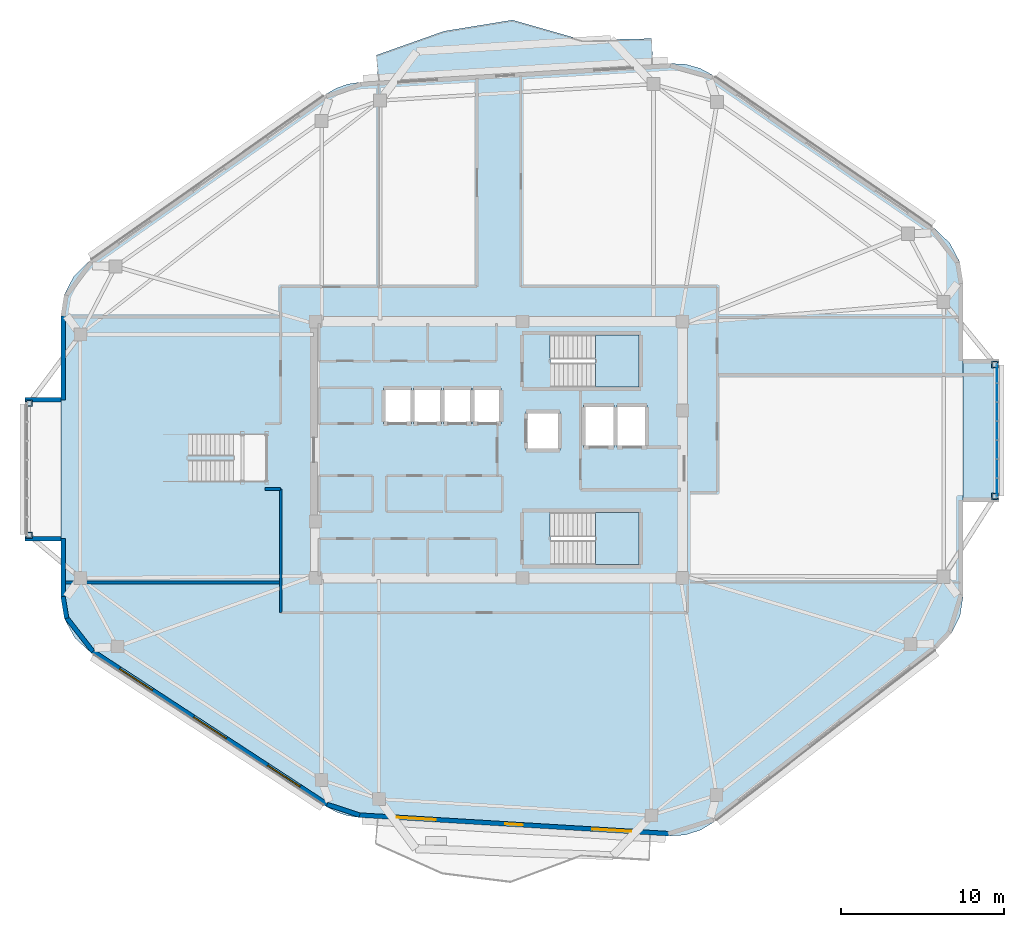
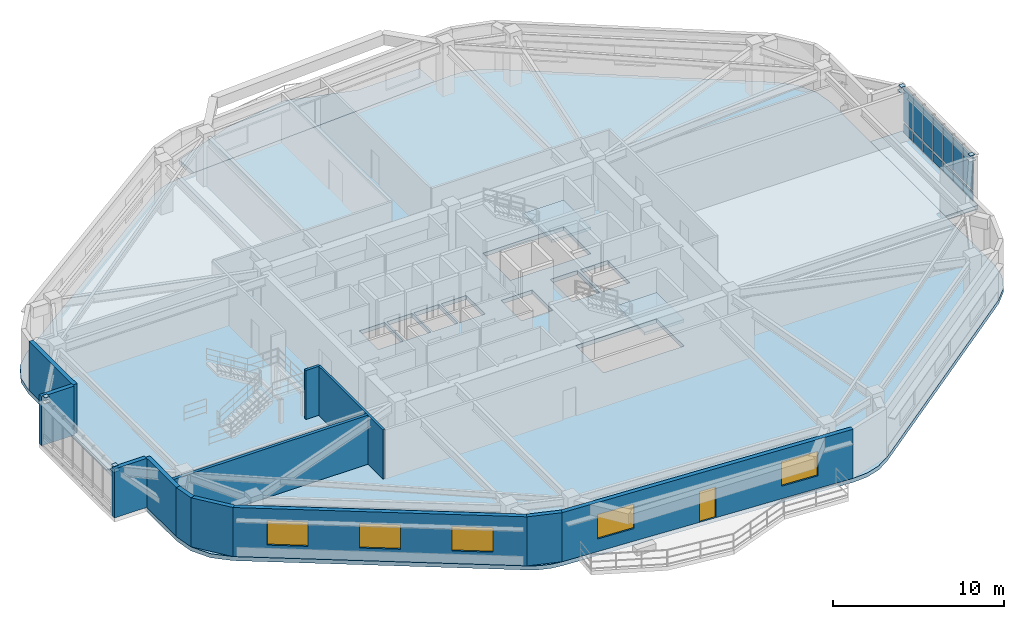
# One storey, part 11 of 18: 22 plates, 12 walls, 5 slabs, 5 windows, 1 door, 6 openings, 3 elements without a shape of their own.
"""IFC4 building model written with IfcOpenShell, lengths in metres."""

from ifc_helpers import new_model, si_unit, direction, frame, frame_2d, origin, origin_2d, place, context, subcontext, project, spatial, polyline, rectangle, outline, extrude, material, layer, layer_set, type_object, element, fill, aggregate, save


model = new_model("IFC4")

# Units and contexts
model_context = context("Model", 3, precision=1e-05, world=origin(), true_north=direction((0.0, 1.0)))
body_context = subcontext(model_context, "Body", "Model", "MODEL_VIEW")
ifc_project = project(units=[si_unit("LENGTHUNIT", "METRE"), si_unit("AREAUNIT", "SQUARE_METRE"), si_unit("VOLUMEUNIT", "CUBIC_METRE"), si_unit("PLANEANGLEUNIT", "RADIAN"), si_unit("MASSUNIT", "GRAM", prefix="KILO")], contexts=[model_context])

# Site, building, storey
site_placement = place(None, origin())
site = spatial("IfcSite", under=ifc_project, at=site_placement, CompositionType="ELEMENT")
building_placement = place(site_placement, origin())
building = spatial("IfcBuilding", under=site, at=building_placement, Name="Zulverin Broadcast Headquarters", CompositionType="ELEMENT")
storey_placement = place(building_placement, frame((0.0, 0.0, 225.0)))
storey = spatial("IfcBuildingStorey", under=building, at=storey_placement, Name="L57", CompositionType="ELEMENT", Elevation=225.0)

# Curtain wall, plates
ifc_material_1 = material(Name="Acoustic triple-glazed studio box curtain wall", Category="aluminium")
curtain_wall_type = type_object("IfcCurtainWallType", Name="CW-SBOX", PredefinedType="USERDEFINED", material=ifc_material_1)
curtain_wall_placement = place(storey_placement, origin())
curtain_wall = element("IfcCurtainWall", 1, at=curtain_wall_placement, inside=storey, type_object=curtain_wall_type, Name="L57 Unitised Curtain Wall CW-L57-SBOX_SKY2_E-F", ObjectType="UNITISED CURTAIN WALL", PredefinedType="USERDEFINED")
ifc_material_2 = material(Name="Low-E double-glazed pale-silver vision glass", Category="glass")
ifc_layer_1 = layer(ifc_material_2, 0.035888671875, Name="Low-E double-glazed pale-silver vision glass", Category="glass")
ifc_layer_set_1 = layer_set([ifc_layer_1], Name="Low-E double-glazed pale-silver vision glass")
plate_type_1 = type_object("IfcPlateType", Name="CW-PNL-GLZ", PredefinedType="CURTAIN_PANEL", material=ifc_layer_set_1)
plate_1_placement = place(storey_placement, frame((67.580078125, 22.892822265625, 0.9072265625), z_axis=(0.0, 0.0, 1.0), x_axis=(0.0, 1.0, 0.0)))
plate_1 = element("IfcPlate", 2, at=plate_1_placement, type_object=plate_type_1, Name="CW-L57-SBOX_SKY2_E-F Vision Panel 00", PredefinedType="CURTAIN_PANEL", context=body_context, shape_type="SweptSolid", body=[
    extrude(rectangle(XDim=1.125732421875, YDim=0.035888671875, at=origin_2d()), origin(), (0.0, 0.0, 1.0), 2.462646484375),
])
plate_2_placement = place(storey_placement, frame((67.580078125, 24.05859375, 0.9072265625), z_axis=(0.0, 0.0, 1.0), x_axis=(0.0, 1.0, 0.0)))
plate_2 = element("IfcPlate", 3, at=plate_2_placement, type_object=plate_type_1, Name="CW-L57-SBOX_SKY2_E-F Vision Panel 01", PredefinedType="CURTAIN_PANEL", context=body_context, shape_type="SweptSolid", body=[
    extrude(rectangle(XDim=1.125732421875, YDim=0.035888671875, at=origin_2d()), origin(), (0.0, 0.0, 1.0), 2.462646484375),
])
plate_3_placement = place(storey_placement, frame((67.580078125, 25.224365234375, 0.9072265625), z_axis=(0.0, 0.0, 1.0), x_axis=(0.0, 1.0, 0.0)))
plate_3 = element("IfcPlate", 4, at=plate_3_placement, type_object=plate_type_1, Name="CW-L57-SBOX_SKY2_E-F Vision Panel 02", PredefinedType="CURTAIN_PANEL", context=body_context, shape_type="SweptSolid", body=[
    extrude(rectangle(XDim=1.125732421875, YDim=0.035888671875, at=origin_2d()), origin(), (0.0, 0.0, 1.0), 2.462646484375),
])
plate_4_placement = place(storey_placement, frame((67.580078125, 26.389892578125, 0.9072265625), z_axis=(0.0, 0.0, 1.0), x_axis=(0.0, 1.0, 0.0)))
plate_4 = element("IfcPlate", 5, at=plate_4_placement, type_object=plate_type_1, Name="CW-L57-SBOX_SKY2_E-F Vision Panel 03", PredefinedType="CURTAIN_PANEL", context=body_context, shape_type="SweptSolid", body=[
    extrude(rectangle(XDim=1.125732421875, YDim=0.035888671875, at=origin_2d()), origin(), (0.0, 0.0, 1.0), 2.462646484375),
])
plate_5_placement = place(storey_placement, frame((67.580078125, 27.5556640625, 0.9072265625), z_axis=(0.0, 0.0, 1.0), x_axis=(0.0, 1.0, 0.0)))
plate_5 = element("IfcPlate", 6, at=plate_5_placement, type_object=plate_type_1, Name="CW-L57-SBOX_SKY2_E-F Vision Panel 04", PredefinedType="CURTAIN_PANEL", context=body_context, shape_type="SweptSolid", body=[
    extrude(rectangle(XDim=1.125732421875, YDim=0.035888671875, at=origin_2d()), origin(), (0.0, 0.0, 1.0), 2.462646484375),
])
plate_6_placement = place(storey_placement, frame((67.580078125, 28.721435546875, 0.9072265625), z_axis=(0.0, 0.0, 1.0), x_axis=(0.0, 1.0, 0.0)))
plate_6 = element("IfcPlate", 7, at=plate_6_placement, type_object=plate_type_1, Name="CW-L57-SBOX_SKY2_E-F Vision Panel 05", PredefinedType="CURTAIN_PANEL", context=body_context, shape_type="SweptSolid", body=[
    extrude(rectangle(XDim=1.125732421875, YDim=0.035888671875, at=origin_2d()), origin(), (0.0, 0.0, 1.0), 2.462646484375),
])
plate_7_placement = place(storey_placement, frame((67.580078125, 29.88720703125, 0.9072265625), z_axis=(0.0, 0.0, 1.0), x_axis=(0.0, 1.0, 0.0)))
plate_7 = element("IfcPlate", 8, at=plate_7_placement, type_object=plate_type_1, Name="CW-L57-SBOX_SKY2_E-F Vision Panel 06", PredefinedType="CURTAIN_PANEL", context=body_context, shape_type="SweptSolid", body=[
    extrude(rectangle(XDim=1.125732421875, YDim=0.035888671875, at=origin_2d()), origin(), (0.0, 0.0, 1.0), 2.462646484375),
])
ifc_material_3 = material(Name="Insulated brushed pale-aluminium spandrel cassette", Category="aluminium")
ifc_layer_2 = layer(ifc_material_3, 0.050048828125, Name="Insulated brushed pale-aluminium spandrel cassette", Category="aluminium")
ifc_layer_set_2 = layer_set([ifc_layer_2], Name="Insulated brushed pale-aluminium spandrel cassette")
plate_type_2 = type_object("IfcPlateType", Name="CW-PNL-SPN", PredefinedType="CURTAIN_PANEL", material=ifc_layer_set_2)
plate_8_placement = place(storey_placement, frame((67.580078125, 22.892822265625, 0.14013671875), z_axis=(0.0, 0.0, 1.0), x_axis=(0.0, 1.0, 0.0)))
plate_8 = element("IfcPlate", 9, at=plate_8_placement, type_object=plate_type_2, Name="CW-L57-SBOX_SKY2_E-F Spandrel Cassette 00", PredefinedType="CURTAIN_PANEL", context=body_context, shape_type="SweptSolid", body=[
    extrude(rectangle(XDim=1.125732421875, YDim=0.050048828125, at=origin_2d()), origin(), (0.0, 0.0, 1.0), 0.637451171875),
])
plate_9_placement = place(storey_placement, frame((67.580078125, 24.05859375, 0.14013671875), z_axis=(0.0, 0.0, 1.0), x_axis=(0.0, 1.0, 0.0)))
plate_9 = element("IfcPlate", 10, at=plate_9_placement, type_object=plate_type_2, Name="CW-L57-SBOX_SKY2_E-F Spandrel Cassette 01", PredefinedType="CURTAIN_PANEL", context=body_context, shape_type="SweptSolid", body=[
    extrude(rectangle(XDim=1.125732421875, YDim=0.050048828125, at=origin_2d()), origin(), (0.0, 0.0, 1.0), 0.637451171875),
])
plate_10_placement = place(storey_placement, frame((67.580078125, 25.224365234375, 0.14013671875), z_axis=(0.0, 0.0, 1.0), x_axis=(0.0, 1.0, 0.0)))
plate_10 = element("IfcPlate", 11, at=plate_10_placement, type_object=plate_type_2, Name="CW-L57-SBOX_SKY2_E-F Spandrel Cassette 02", PredefinedType="CURTAIN_PANEL", context=body_context, shape_type="SweptSolid", body=[
    extrude(rectangle(XDim=1.125732421875, YDim=0.050048828125, at=origin_2d()), origin(), (0.0, 0.0, 1.0), 0.637451171875),
])
plate_11_placement = place(storey_placement, frame((67.580078125, 26.389892578125, 0.14013671875), z_axis=(0.0, 0.0, 1.0), x_axis=(0.0, 1.0, 0.0)))
plate_11 = element("IfcPlate", 12, at=plate_11_placement, type_object=plate_type_2, Name="CW-L57-SBOX_SKY2_E-F Spandrel Cassette 03", PredefinedType="CURTAIN_PANEL", context=body_context, shape_type="SweptSolid", body=[
    extrude(rectangle(XDim=1.125732421875, YDim=0.050048828125, at=origin_2d()), origin(), (0.0, 0.0, 1.0), 0.637451171875),
])
plate_12_placement = place(storey_placement, frame((67.580078125, 27.5556640625, 0.14013671875), z_axis=(0.0, 0.0, 1.0), x_axis=(0.0, 1.0, 0.0)))
plate_12 = element("IfcPlate", 13, at=plate_12_placement, type_object=plate_type_2, Name="CW-L57-SBOX_SKY2_E-F Spandrel Cassette 04", PredefinedType="CURTAIN_PANEL", context=body_context, shape_type="SweptSolid", body=[
    extrude(rectangle(XDim=1.125732421875, YDim=0.050048828125, at=origin_2d()), origin(), (0.0, 0.0, 1.0), 0.637451171875),
])
plate_13_placement = place(storey_placement, frame((67.580078125, 28.721435546875, 0.14013671875), z_axis=(0.0, 0.0, 1.0), x_axis=(0.0, 1.0, 0.0)))
plate_13 = element("IfcPlate", 14, at=plate_13_placement, type_object=plate_type_2, Name="CW-L57-SBOX_SKY2_E-F Spandrel Cassette 05", PredefinedType="CURTAIN_PANEL", context=body_context, shape_type="SweptSolid", body=[
    extrude(rectangle(XDim=1.125732421875, YDim=0.050048828125, at=origin_2d()), origin(), (0.0, 0.0, 1.0), 0.637451171875),
])
plate_14_placement = place(storey_placement, frame((67.580078125, 29.88720703125, 0.14013671875), z_axis=(0.0, 0.0, 1.0), x_axis=(0.0, 1.0, 0.0)))
plate_14 = element("IfcPlate", 15, at=plate_14_placement, type_object=plate_type_2, Name="CW-L57-SBOX_SKY2_E-F Spandrel Cassette 06", PredefinedType="CURTAIN_PANEL", context=body_context, shape_type="SweptSolid", body=[
    extrude(rectangle(XDim=1.125732421875, YDim=0.050048828125, at=origin_2d()), origin(), (0.0, 0.0, 1.0), 0.637451171875),
])
aggregate(curtain_wall, [plate_8, plate_1, plate_9, plate_2, plate_10, plate_3, plate_11, plate_4, plate_12, plate_5, plate_13, plate_6, plate_14, plate_7])

# Plates
ifc_material_4 = material(Name="Structural steel S355JR", Category="steel")
ifc_layer_3 = layer(ifc_material_4, 0.02490234375, Name="Structural steel S355JR", Category="steel")
ifc_layer_set_3 = layer_set([ifc_layer_3], Name="Structural steel S355JR")
plate_type_3 = type_object("IfcPlateType", Name="PLT-NODE-SBN1", PredefinedType="SHEET", material=ifc_layer_set_3)
plate_15_placement = place(storey_placement, frame((67.449951171875, 22.340087890625, 3.507568359375), z_axis=(0.0, 0.0, 1.0), x_axis=(1.0, 0.0, 0.0)))
element("IfcPlate", 16, at=plate_15_placement, inside=storey, type_object=plate_type_3, Name="SBN-1 Studio Box Post End Cap Plate L57-SBOX_SKY2_E-1", PredefinedType="SHEET", context=body_context, shape_type="SweptSolid", body=[
    extrude(rectangle(XDim=0.300048828125, YDim=0.300048828125, at=origin_2d()), origin(), (0.0, 0.0, 1.0), 0.02490234375),
])
plate_16_placement = place(storey_placement, frame((67.449951171875, 22.340087890625, 3.1474609375), z_axis=(0.0, 0.0, 1.0), x_axis=(1.0, 0.0, 0.0)))
element("IfcPlate", 17, at=plate_16_placement, inside=storey, type_object=plate_type_3, Name="SBN-1 Studio Box Node Gusset Plate L57-SBOX_SKY2_E-1", PredefinedType="SHEET", context=body_context, shape_type="SweptSolid", body=[
    extrude(rectangle(XDim=0.419921875, YDim=0.419921875, at=origin_2d()), origin(), (0.0, 0.0, 1.0), 0.02490234375),
])
plate_17_placement = place(storey_placement, frame((67.449951171875, 30.43994140625, 3.507568359375), z_axis=(0.0, 0.0, 1.0), x_axis=(1.0, 0.0, 0.0)))
element("IfcPlate", 18, at=plate_17_placement, inside=storey, type_object=plate_type_3, Name="SBN-1 Studio Box Post End Cap Plate L57-SBOX_SKY2_E-2", PredefinedType="SHEET", context=body_context, shape_type="SweptSolid", body=[
    extrude(rectangle(XDim=0.300048828125, YDim=0.300048828125, at=origin_2d()), origin(), (0.0, 0.0, 1.0), 0.02490234375),
])
plate_18_placement = place(storey_placement, frame((67.449951171875, 30.43994140625, 3.1474609375), z_axis=(0.0, 0.0, 1.0), x_axis=(1.0, 0.0, 0.0)))
element("IfcPlate", 19, at=plate_18_placement, inside=storey, type_object=plate_type_3, Name="SBN-1 Studio Box Node Gusset Plate L57-SBOX_SKY2_E-2", PredefinedType="SHEET", context=body_context, shape_type="SweptSolid", body=[
    extrude(rectangle(XDim=0.419921875, YDim=0.419921875, at=origin_2d()), origin(), (0.0, 0.0, 1.0), 0.02490234375),
])
plate_19_placement = place(storey_placement, frame((8.14990234375, 19.9599609375, 3.507568359375), z_axis=(0.0, 0.0, 1.0), x_axis=(1.0, 0.0, 0.0)))
element("IfcPlate", 20, at=plate_19_placement, inside=storey, type_object=plate_type_3, Name="SBN-1 Studio Box Post End Cap Plate L57-SBOX_SKY2_W-1", PredefinedType="SHEET", context=body_context, shape_type="SweptSolid", body=[
    extrude(rectangle(XDim=0.300048828125, YDim=0.300048828125, at=origin_2d()), origin(), (0.0, 0.0, 1.0), 0.02490234375),
])
plate_20_placement = place(storey_placement, frame((8.14990234375, 19.9599609375, 3.1474609375), z_axis=(0.0, 0.0, 1.0), x_axis=(1.0, 0.0, 0.0)))
element("IfcPlate", 21, at=plate_20_placement, inside=storey, type_object=plate_type_3, Name="SBN-1 Studio Box Node Gusset Plate L57-SBOX_SKY2_W-1", PredefinedType="SHEET", context=body_context, shape_type="SweptSolid", body=[
    extrude(rectangle(XDim=0.419921875, YDim=0.419921875, at=origin_2d()), origin(), (0.0, 0.0, 1.0), 0.02490234375),
])
plate_21_placement = place(storey_placement, frame((8.14990234375, 28.06005859375, 3.507568359375), z_axis=(0.0, 0.0, 1.0), x_axis=(1.0, 0.0, 0.0)))
element("IfcPlate", 22, at=plate_21_placement, inside=storey, type_object=plate_type_3, Name="SBN-1 Studio Box Post End Cap Plate L57-SBOX_SKY2_W-2", PredefinedType="SHEET", context=body_context, shape_type="SweptSolid", body=[
    extrude(rectangle(XDim=0.300048828125, YDim=0.300048828125, at=origin_2d()), origin(), (0.0, 0.0, 1.0), 0.02490234375),
])
plate_22_placement = place(storey_placement, frame((8.14990234375, 28.06005859375, 3.1474609375), z_axis=(0.0, 0.0, 1.0), x_axis=(1.0, 0.0, 0.0)))
element("IfcPlate", 23, at=plate_22_placement, inside=storey, type_object=plate_type_3, Name="SBN-1 Studio Box Node Gusset Plate L57-SBOX_SKY2_W-2", PredefinedType="SHEET", context=body_context, shape_type="SweptSolid", body=[
    extrude(rectangle(XDim=0.419921875, YDim=0.419921875, at=origin_2d()), origin(), (0.0, 0.0, 1.0), 0.02490234375),
])

# Slab
ifc_material_5 = material(Name="Concrete C40/50", Category="concrete")
ifc_layer_4 = layer(ifc_material_5, 0.2900390625, Name="Concrete C40/50", Category="concrete")
ifc_layer_set_4 = layer_set([ifc_layer_4], Name="Concrete C40/50")
slab_type_1 = type_object("IfcSlabType", Name="SLB-BAL-290", PredefinedType="FLOOR", material=ifc_layer_set_4)
slab_1_placement = place(storey_placement, frame((0.0, 0.0, -0.2900390625)))
element("IfcSlab", 24, at=slab_1_placement, inside=storey, type_object=slab_type_1, Name="L57 Cantilevered Planted Balcony Slab BAL_N", PredefinedType="FLOOR", context=body_context, shape_type="SweptSolid", body=[
    extrude(outline(polyline([(29.5791015625, 47.835693359375), (46.45947265625, 48.849365234375), (46.363525390625, 50.4462890625), (42.133544921875, 50.356689453125), (37.824462890625, 51.58740234375), (33.630126953125, 50.903076171875), (29.483154296875, 49.43310546875), (29.5791015625, 47.835693359375)])), origin(), (0.0, 0.0, 1.0), 0.2900390625),
])

# Stair, slab
stair_type = type_object("IfcStairType", Name="ST-CORE-1500", PredefinedType="HALF_TURN_STAIR", material=ifc_material_5)
stair_1_placement = place(storey_placement, origin())
stair_1 = element("IfcStair", 25, at=stair_1_placement, inside=storey, type_object=stair_type, Name="L57 Core Exit Stair ST-1", PredefinedType="HALF_TURN_STAIR")
ifc_layer_5 = layer(ifc_material_5, 0.199951171875, Name="Concrete C40/50", Category="concrete")
ifc_layer_set_5 = layer_set([ifc_layer_5], Name="Concrete C40/50")
slab_type_2 = type_object("IfcSlabType", Name="SLB-ST-LND200", PredefinedType="LANDING", material=ifc_layer_set_5)
slab_2_placement = place(storey_placement, frame((0.0, 0.0, 1.699951171875)))
slab_2 = element("IfcSlab", 26, at=slab_2_placement, type_object=slab_type_2, Name="ST-1 landing 1", PredefinedType="LANDING", context=body_context, shape_type="SweptSolid", body=[
    extrude(outline(polyline([(42.929931640625, 29.050048828125), (45.60009765625, 29.050048828125), (45.60009765625, 32.25), (42.929931640625, 32.25), (42.929931640625, 29.050048828125)])), origin(), (0.0, 0.0, 1.0), 0.199951171875),
])
aggregate(stair_1, [slab_2])

stair_2_placement = place(storey_placement, origin())
stair_2 = element("IfcStair", 27, at=stair_2_placement, inside=storey, type_object=stair_type, Name="L57 Core Exit Stair ST-2", PredefinedType="HALF_TURN_STAIR")
slab_3_placement = place(storey_placement, frame((0.0, 0.0, 1.699951171875)))
slab_3 = element("IfcSlab", 28, at=slab_3_placement, type_object=slab_type_2, Name="ST-2 landing 1", PredefinedType="LANDING", context=body_context, shape_type="SweptSolid", body=[
    extrude(outline(polyline([(42.929931640625, 18.14990234375), (45.60009765625, 18.14990234375), (45.60009765625, 21.35009765625), (42.929931640625, 21.35009765625), (42.929931640625, 18.14990234375)])), origin(), (0.0, 0.0, 1.0), 0.199951171875),
])
aggregate(stair_2, [slab_3])

# Slabs
ifc_layer_6 = layer(ifc_material_5, 0.2900390625, Name="Concrete C40/50", Category="concrete")
ifc_layer_set_6 = layer_set([ifc_layer_6], Name="Concrete C40/50")
slab_type_3 = type_object("IfcSlabType", Name="SLB-TWR-290", PredefinedType="FLOOR", material=ifc_layer_set_6)
slab_4_placement = place(storey_placement, frame((0.0, 0.0, -0.2900390625)))
element("IfcSlab", 29, at=slab_4_placement, inside=storey, type_object=slab_type_3, Name="L57 Main Structural Floor Slab", PredefinedType="FLOOR", context=body_context, shape_type="SweptSolid", body=[
    extrude(outline(polyline([(26.405029296875, 3.295166015625), (27.029296875, 2.96044921875), (27.70166015625, 2.738037109375), (28.402099609375, 2.634765625), (47.427490234375, 1.49267578125), (48.40869140625, 1.5517578125), (49.347412109375, 1.842529296875), (50.18994140625, 2.348388671875), (63.91650390625, 13.02099609375), (64.7685546875, 13.92041015625), (65.312744140625, 15.033203125), (65.5, 16.2578125), (65.5, 35.42578125), (65.289306640625, 36.723388671875), (64.6787109375, 37.887451171875), (63.73095703125, 38.798583984375), (50.13427734375, 48.1953125), (49.3359375, 48.625244140625), (48.462890625, 48.869140625), (47.557373046875, 48.915283203125), (28.48095703125, 47.77001953125), (27.73291015625, 47.655029296875), (27.0185546875, 47.404541015625), (26.362548828125, 47.027099609375), (11.8359375, 36.775146484375), (10.9052734375, 35.865478515625), (10.306396484375, 34.710205078125), (10.10009765625, 33.42529296875), (10.10009765625, 16.168701171875), (10.322021484375, 14.83740234375), (10.96435546875, 13.650390625), (11.957275390625, 12.736328125), (26.405029296875, 3.295166015625)]), holes=[polyline([(40.155029296875, 30.75), (40.13037109375, 30.75), (40.13037109375, 32.25), (45.60009765625, 32.25), (45.60009765625, 29.050048828125), (40.155029296875, 29.050048828125), (40.155029296875, 30.75)]), polyline([(40.155029296875, 19.85009765625), (40.13037109375, 19.85009765625), (40.13037109375, 21.35009765625), (45.60009765625, 21.35009765625), (45.60009765625, 18.14990234375), (40.155029296875, 18.14990234375), (40.155029296875, 19.85009765625)]), polyline([(29.89990234375, 26.800048828125), (31.6201171875, 26.800048828125), (31.6201171875, 29.0), (29.89990234375, 29.0), (29.89990234375, 26.800048828125)]), polyline([(31.739990234375, 26.800048828125), (33.4599609375, 26.800048828125), (33.4599609375, 29.0), (31.739990234375, 29.0), (31.739990234375, 26.800048828125)]), polyline([(33.580078125, 26.800048828125), (35.300048828125, 26.800048828125), (35.300048828125, 29.0), (33.580078125, 29.0), (33.580078125, 26.800048828125)]), polyline([(35.419921875, 26.800048828125), (37.139892578125, 26.800048828125), (37.139892578125, 29.0), (35.419921875, 29.0), (35.419921875, 26.800048828125)]), polyline([(42.199951171875, 25.35009765625), (44.050048828125, 25.35009765625), (44.050048828125, 27.949951171875), (42.199951171875, 27.949951171875), (42.199951171875, 25.35009765625)]), polyline([(44.25, 25.35009765625), (46.10009765625, 25.35009765625), (46.10009765625, 27.949951171875), (44.25, 27.949951171875), (44.25, 25.35009765625)]), polyline([(38.64990234375, 25.14990234375), (40.75, 25.14990234375), (40.75, 27.550048828125), (38.64990234375, 27.550048828125), (38.64990234375, 25.14990234375)])]), origin(), (0.0, 0.0, 1.0), 0.2900390625),
])
slab_5_placement = place(storey_placement, frame((0.0, 0.0, -0.2900390625)))
element("IfcSlab", 30, at=slab_5_placement, inside=storey, type_object=slab_type_3, Name="L57 Shifted Broadcast Studio Box Floor Slab SBOX_SKY2_E", PredefinedType="FLOOR", context=body_context, shape_type="SweptSolid", body=[
    extrude(outline(polyline([(65.5, 21.989990234375), (67.699951171875, 21.989990234375), (67.699951171875, 30.7900390625), (65.5, 30.7900390625), (65.5, 21.989990234375)])), origin(), (0.0, 0.0, 1.0), 0.2900390625),
])

# Wall
ifc_material_6 = material(Name="Acoustic drywall steel stud", Category="steel")
ifc_layer_7 = layer(ifc_material_6, 0.199951171875, Name="Acoustic drywall steel stud", Category="steel")
ifc_layer_set_7 = layer_set([ifc_layer_7], Name="Acoustic drywall steel stud")
wall_type_1 = type_object("IfcWallType", Name="WL-ACOU-200", PredefinedType="PARTITIONING", material=ifc_layer_set_7)
wall_1_placement = place(storey_placement, frame((10.304931640625, 17.050048828125, 0.0), z_axis=(0.0, 0.0, 1.0), x_axis=(1.0, 0.0, 0.0)))
element("IfcWall", 31, at=wall_1_placement, inside=storey, type_object=wall_type_1, Name="L57 Room Partition Wall RP-09", PredefinedType="PARTITIONING", context=body_context, shape_type="SweptSolid", body=[
    extrude(rectangle(XDim=13.295166015625, YDim=0.199951171875, at=frame_2d((6.6474609375, 0.0))), origin(), (0.0, 0.0, 1.0), 3.510009765625),
])

# Wall, openings, door, windows
ifc_material_7 = material(Name="Insulated pale-metal clad concrete spandrel C40/50", Category="concrete")
ifc_layer_8 = layer(ifc_material_7, 0.280029296875, Name="Insulated pale-metal clad concrete spandrel C40/50", Category="concrete")
ifc_layer_set_8 = layer_set([ifc_layer_8], Name="Insulated pale-metal clad concrete spandrel C40/50")
wall_type_2 = type_object("IfcWallType", Name="WL-EXT-280", PredefinedType="STANDARD", material=ifc_layer_set_8)
wall_2_placement = place(storey_placement, frame((28.41064453125, 2.7744140625, 0.0), z_axis=(0.0, 0.0, 1.0), x_axis=(0.998203068368, -0.059921901676, 0.0)))
wall_2 = element("IfcWall", 32, at=wall_2_placement, inside=storey, type_object=wall_type_2, Name="L57 Pale-Metal Clad Spandrel Wall 1", PredefinedType="STANDARD", context=body_context, shape_type="SweptSolid", body=[
    extrude(rectangle(XDim=19.0595703125, YDim=0.280029296875, at=frame_2d((9.52978515625, 0.0))), origin(), (0.0, 0.0, 1.0), 3.510009765625),
])
opening_1_placement = place(wall_2_placement, frame((8.979736328125, 0.0, 0.0)))
opening_1 = element("IfcOpeningElement", 33, at=opening_1_placement, cuts=wall_2, Name="Opening D-L57-TR1", PredefinedType="OPENING", context=body_context, shape_type="SweptSolid", body=[
    extrude(rectangle(XDim=1.10009765625, YDim=2.199951171875, at=frame_2d((0.550048828125, 1.10009765625))), frame((0.0, 0.14990234375, 0.0), z_axis=(0.0, -1.0, 0.0), x_axis=(1.0, 0.0, 0.0)), (0.0, 0.0, 1.0), 0.300048828125),
])
opening_2_placement = place(wall_2_placement, frame((2.309814453125, 0.0, 0.89990234375)))
opening_2 = element("IfcOpeningElement", 34, at=opening_2_placement, cuts=wall_2, Name="Opening W-L57-E11", PredefinedType="OPENING", context=body_context, shape_type="SweptSolid", body=[
    extrude(rectangle(XDim=2.39990234375, YDim=1.75, at=frame_2d((1.199951171875, 0.875))), frame((0.0, 0.14990234375, 0.0), z_axis=(0.0, -1.0, 0.0), x_axis=(1.0, 0.0, 0.0)), (0.0, 0.0, 1.0), 0.300048828125),
])
opening_3_placement = place(wall_2_placement, frame((14.349609375, 0.0, 0.89990234375)))
opening_3 = element("IfcOpeningElement", 35, at=opening_3_placement, cuts=wall_2, Name="Opening W-L57-E12", PredefinedType="OPENING", context=body_context, shape_type="SweptSolid", body=[
    extrude(rectangle(XDim=2.39990234375, YDim=1.75, at=frame_2d((1.199951171875, 0.875))), frame((0.0, 0.14990234375, 0.0), z_axis=(0.0, -1.0, 0.0), x_axis=(1.0, 0.0, 0.0)), (0.0, 0.0, 1.0), 0.300048828125),
])
ifc_material_8 = material(Name="Thermally broken aluminium glazed", Category="aluminium")
door_type = type_object("IfcDoorType", Name="DR-TERR-1100", OperationType="SINGLE_SWING_RIGHT", PredefinedType="DOOR", material=ifc_material_8)
door_placement = place(opening_1_placement, origin())
door = element("IfcDoor", 36, at=door_placement, inside=storey, type_object=door_type, Name="L57 Planted Terrace Glazed Access Door 1", OperationType="SINGLE_SWING_RIGHT", OverallHeight=2.199951171875, OverallWidth=1.10009765625, PredefinedType="DOOR", context=body_context, shape_type="SweptSolid", body=[
    extrude(rectangle(XDim=1.10009765625, YDim=2.199951171875, at=frame_2d((0.550048828125, 1.10009765625))), frame((0.0, 0.02490234375, 0.0), z_axis=(0.0, -1.0, 0.0), x_axis=(1.0, 0.0, 0.0)), (0.0, 0.0, 1.0), 0.050048828125),
])
fill(opening_1, door)
ifc_material_9 = material(Name="Pale anodized aluminium frame with solar-control low-E double glazing", Category="aluminium")
window_type = type_object("IfcWindowType", Name="WIN-RIB-2400", PartitioningType="SINGLE_PANEL", PredefinedType="WINDOW", material=ifc_material_9)
window_1_placement = place(opening_2_placement, origin())
window_1 = element("IfcWindow", 37, at=window_1_placement, inside=storey, type_object=window_type, Name="L57 Ribbon Glazing Window 1 1", OverallHeight=1.75, OverallWidth=2.39990234375, PartitioningType="SINGLE_PANEL", PredefinedType="WINDOW", context=body_context, shape_type="SweptSolid", body=[
    extrude(rectangle(XDim=2.39990234375, YDim=1.75, at=frame_2d((1.199951171875, 0.875))), frame((0.0, 0.030029296875, 0.0), z_axis=(0.0, -1.0, 0.0), x_axis=(1.0, 0.0, 0.0)), (0.0, 0.0, 1.0), 0.06005859375),
])
fill(opening_2, window_1)
window_2_placement = place(opening_3_placement, origin())
window_2 = element("IfcWindow", 38, at=window_2_placement, inside=storey, type_object=window_type, Name="L57 Ribbon Glazing Window 1 2", OverallHeight=1.75, OverallWidth=2.39990234375, PartitioningType="SINGLE_PANEL", PredefinedType="WINDOW", context=body_context, shape_type="SweptSolid", body=[
    extrude(rectangle(XDim=2.39990234375, YDim=1.75, at=frame_2d((1.199951171875, 0.875))), frame((0.0, 0.030029296875, 0.0), z_axis=(0.0, -1.0, 0.0), x_axis=(1.0, 0.0, 0.0)), (0.0, 0.0, 1.0), 0.06005859375),
])
fill(opening_3, window_2)

# Walls
wall_3_placement = place(storey_placement, frame((10.239990234375, 33.42529296875, 0.0), z_axis=(0.0, 0.0, 1.0), x_axis=(0.0, -1.0, 0.0)))
element("IfcWall", 39, at=wall_3_placement, inside=storey, type_object=wall_type_2, Name="L57 Pale-Metal Clad Flanking Spandrel Wall 7-1", PredefinedType="STANDARD", context=body_context, shape_type="SweptSolid", body=[
    extrude(rectangle(XDim=5.1552734375, YDim=0.280029296875, at=frame_2d((2.57763671875, 0.0))), origin(), (0.0, 0.0, 1.0), 3.510009765625),
])
wall_4_placement = place(storey_placement, frame((10.239990234375, 19.75, 0.0), z_axis=(0.0, 0.0, 1.0), x_axis=(0.0, -1.0, 0.0)))
element("IfcWall", 40, at=wall_4_placement, inside=storey, type_object=wall_type_2, Name="L57 Pale-Metal Clad Flanking Spandrel Wall 7-2", PredefinedType="STANDARD", context=body_context, shape_type="SweptSolid", body=[
    extrude(rectangle(XDim=3.581298828125, YDim=0.280029296875, at=frame_2d((1.79052734375, 0.0))), origin(), (0.0, 0.0, 1.0), 3.510009765625),
])

# Wall, openings, windows
wall_5_placement = place(storey_placement, frame((12.03369140625, 12.853515625, 0.0), z_axis=(0.0, 0.0, 1.0), x_axis=(0.837118352984, -0.547021812269, 0.0)))
wall_5 = element("IfcWall", 41, at=wall_5_placement, inside=storey, type_object=wall_type_2, Name="L57 Pale-Metal Clad Spandrel Wall 8", PredefinedType="STANDARD", context=body_context, shape_type="SweptSolid", body=[
    extrude(rectangle(XDim=17.25927734375, YDim=0.280029296875, at=frame_2d((8.629638671875, 0.0))), origin(), (0.0, 0.0, 1.0), 3.510009765625),
])
opening_4_placement = place(wall_5_placement, frame((2.010009765625, 0.0, 0.89990234375)))
opening_4 = element("IfcOpeningElement", 42, at=opening_4_placement, cuts=wall_5, Name="Opening W-L57-E81", PredefinedType="OPENING", context=body_context, shape_type="SweptSolid", body=[
    extrude(rectangle(XDim=2.39990234375, YDim=1.75, at=frame_2d((1.199951171875, 0.875))), frame((0.0, 0.14990234375, 0.0), z_axis=(0.0, -1.0, 0.0), x_axis=(1.0, 0.0, 0.0)), (0.0, 0.0, 1.0), 0.300048828125),
])
opening_5_placement = place(wall_5_placement, frame((7.4296875, 0.0, 0.89990234375)))
opening_5 = element("IfcOpeningElement", 43, at=opening_5_placement, cuts=wall_5, Name="Opening W-L57-E82", PredefinedType="OPENING", context=body_context, shape_type="SweptSolid", body=[
    extrude(rectangle(XDim=2.39990234375, YDim=1.75, at=frame_2d((1.199951171875, 0.875))), frame((0.0, 0.14990234375, 0.0), z_axis=(0.0, -1.0, 0.0), x_axis=(1.0, 0.0, 0.0)), (0.0, 0.0, 1.0), 0.300048828125),
])
opening_6_placement = place(wall_5_placement, frame((12.849365234375, 0.0, 0.89990234375)))
opening_6 = element("IfcOpeningElement", 44, at=opening_6_placement, cuts=wall_5, Name="Opening W-L57-E83", PredefinedType="OPENING", context=body_context, shape_type="SweptSolid", body=[
    extrude(rectangle(XDim=2.39990234375, YDim=1.75, at=frame_2d((1.199951171875, 0.875))), frame((0.0, 0.14990234375, 0.0), z_axis=(0.0, -1.0, 0.0), x_axis=(1.0, 0.0, 0.0)), (0.0, 0.0, 1.0), 0.300048828125),
])
window_3_placement = place(opening_4_placement, origin())
window_3 = element("IfcWindow", 45, at=window_3_placement, inside=storey, type_object=window_type, Name="L57 Ribbon Glazing Window 8 1", OverallHeight=1.75, OverallWidth=2.39990234375, PartitioningType="SINGLE_PANEL", PredefinedType="WINDOW", context=body_context, shape_type="SweptSolid", body=[
    extrude(rectangle(XDim=2.39990234375, YDim=1.75, at=frame_2d((1.199951171875, 0.875))), frame((0.0, 0.030029296875, 0.0), z_axis=(0.0, -1.0, 0.0), x_axis=(1.0, 0.0, 0.0)), (0.0, 0.0, 1.0), 0.06005859375),
])
fill(opening_4, window_3)
window_4_placement = place(opening_5_placement, origin())
window_4 = element("IfcWindow", 46, at=window_4_placement, inside=storey, type_object=window_type, Name="L57 Ribbon Glazing Window 8 2", OverallHeight=1.75, OverallWidth=2.39990234375, PartitioningType="SINGLE_PANEL", PredefinedType="WINDOW", context=body_context, shape_type="SweptSolid", body=[
    extrude(rectangle(XDim=2.39990234375, YDim=1.75, at=frame_2d((1.199951171875, 0.875))), frame((0.0, 0.030029296875, 0.0), z_axis=(0.0, -1.0, 0.0), x_axis=(1.0, 0.0, 0.0)), (0.0, 0.0, 1.0), 0.06005859375),
])
fill(opening_5, window_4)
window_5_placement = place(opening_6_placement, origin())
window_5 = element("IfcWindow", 47, at=window_5_placement, inside=storey, type_object=window_type, Name="L57 Ribbon Glazing Window 8 3", OverallHeight=1.75, OverallWidth=2.39990234375, PartitioningType="SINGLE_PANEL", PredefinedType="WINDOW", context=body_context, shape_type="SweptSolid", body=[
    extrude(rectangle(XDim=2.39990234375, YDim=1.75, at=frame_2d((1.199951171875, 0.875))), frame((0.0, 0.030029296875, 0.0), z_axis=(0.0, -1.0, 0.0), x_axis=(1.0, 0.0, 0.0)), (0.0, 0.0, 1.0), 0.06005859375),
])
fill(opening_6, window_5)

# Walls
wall_6_placement = place(storey_placement, frame((10.238037109375, 16.191650390625, 0.0), z_axis=(0.0, 0.0, 1.0), x_axis=(0.164604311367, -0.986359681191, 0.0)))
element("IfcWall", 48, at=wall_6_placement, inside=storey, type_object=wall_type_2, Name="L57 Wind-Shaped Corner Spandrel Wall 7-1", PredefinedType="STANDARD", context=body_context, shape_type="SweptSolid", body=[
    extrude(rectangle(XDim=1.349609375, YDim=0.280029296875, at=frame_2d((0.6748046875, 0.0))), origin(), (0.0, 0.0, 1.0), 3.510009765625),
])
wall_7_placement = place(storey_placement, frame((10.4326171875, 14.92333984375, 0.0), z_axis=(0.0, 0.0, 1.0), x_axis=(0.614181852676, -0.78916452774, 0.0)))
element("IfcWall", 49, at=wall_7_placement, inside=storey, type_object=wall_type_2, Name="L57 Wind-Shaped Corner Spandrel Wall 7-2", PredefinedType="STANDARD", context=body_context, shape_type="SweptSolid", body=[
    extrude(rectangle(XDim=2.662109375, YDim=0.280029296875, at=frame_2d((1.3310546875, 0.0))), origin(), (0.0, 0.0, 1.0), 3.510009765625),
])
wall_8_placement = place(storey_placement, frame((26.44921875, 3.427978515625, 0.0), z_axis=(0.0, 0.0, 1.0), x_axis=(0.949435039229, -0.313963542923, 0.0)))
element("IfcWall", 50, at=wall_8_placement, inside=storey, type_object=wall_type_2, Name="L57 Wind-Shaped Corner Spandrel Wall 8-1", PredefinedType="STANDARD", context=body_context, shape_type="SweptSolid", body=[
    extrude(rectangle(XDim=2.103515625, YDim=0.280029296875, at=frame_2d((1.0517578125, 0.0))), origin(), (0.0, 0.0, 1.0), 3.510009765625),
])
for number, where, z_axis, x_axis, name in (
    (51, (7.89990234375, 19.75, 0.0), (0.0, 0.0, 1.0), (1.0, 0.0, 0.0), "L57 Shifted Studio Box Cheek Wall SBOX_SKY2_W-S"),
    (52, (7.89990234375, 28.27001953125, 0.0), (0.0, 0.0, 1.0), (1.0, 0.0, 0.0), "L57 Shifted Studio Box Cheek Wall SBOX_SKY2_W-N"),
):
    element("IfcWall", number, at=place(storey_placement, frame(where, z_axis=z_axis, x_axis=x_axis)), inside=storey, type_object=wall_type_2, Name=name, PredefinedType="STANDARD", context=body_context, shape_type="SweptSolid", body=[
        extrude(rectangle(XDim=2.2001953125, YDim=0.280029296875, at=frame_2d((1.10009765625, 0.0))), origin(), (0.0, 0.0, 1.0), 3.510009765625),
    ])
ifc_material_10 = material(Name="Fire-rated gypsum stud partition", Category="gypsum")
ifc_layer_9 = layer(ifc_material_10, 0.14990234375, Name="Fire-rated gypsum stud partition", Category="gypsum")
ifc_layer_set_9 = layer_set([ifc_layer_9], Name="Fire-rated gypsum stud partition")
wall_type_3 = type_object("IfcWallType", Name="WL-PART-150", PredefinedType="PARTITIONING", material=ifc_layer_set_9)
wall_9_placement = place(storey_placement, frame((23.60009765625, 15.199951171875, 0.0), z_axis=(0.0, 0.0, 1.0), x_axis=(0.0, 1.0, 0.0)))
element("IfcWall", 53, at=wall_9_placement, inside=storey, type_object=wall_type_3, Name="L57 Gallery Partition Wall CG-06", PredefinedType="PARTITIONING", context=body_context, shape_type="SweptSolid", body=[
    extrude(rectangle(XDim=7.60009765625, YDim=0.14990234375, at=frame_2d((3.800048828125, 0.0))), origin(), (0.0, 0.0, 1.0), 3.510009765625),
])
ifc_material_11 = material(Name="Fire-rated acoustic stud wall", Category="gypsum")
ifc_layer_10 = layer(ifc_material_11, 0.175048828125, Name="Fire-rated acoustic stud wall", Category="gypsum")
ifc_layer_set_10 = layer_set([ifc_layer_10], Name="Fire-rated acoustic stud wall")
wall_type_4 = type_object("IfcWallType", Name="WL-PART-175", PredefinedType="PARTITIONING", material=ifc_layer_set_10)
wall_10_placement = place(storey_placement, frame((22.64990234375, 22.800048828125, 0.0), z_axis=(0.0, 0.0, 1.0), x_axis=(1.0, 0.0, 0.0)))
element("IfcWall", 54, at=wall_10_placement, inside=storey, type_object=wall_type_4, Name="L57 Gallery Partition Wall CG-12", PredefinedType="PARTITIONING", context=body_context, shape_type="SweptSolid", body=[
    extrude(rectangle(XDim=0.9501953125, YDim=0.175048828125, at=frame_2d((0.47509765625, 0.0))), origin(), (0.0, 0.0, 1.0), 3.510009765625),
])

save(model, "model.ifc")
